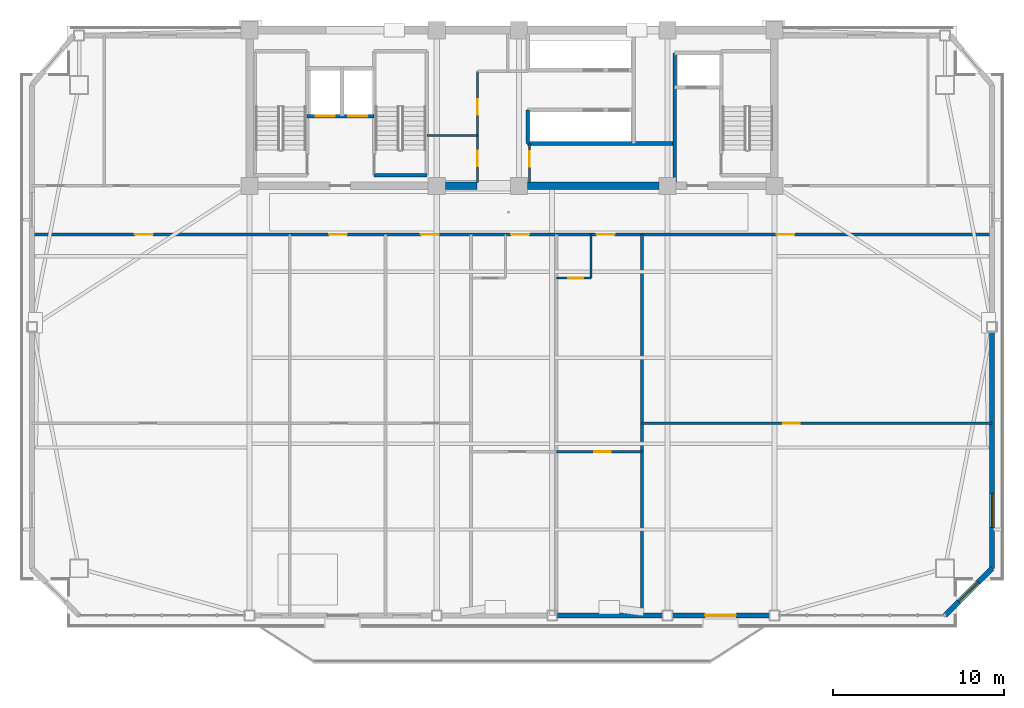
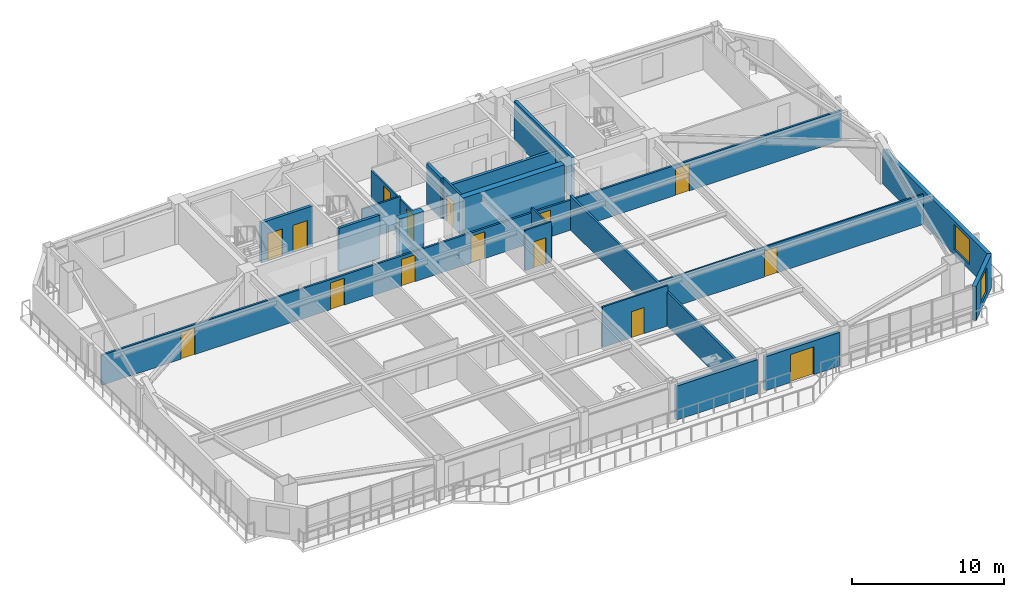
# One storey, part 9 of 17: 20 walls, 15 doors, 2 windows, 17 openings.
"""IFC4 building model written with IfcOpenShell, lengths in metres."""

from ifc_helpers import new_model, si_unit, direction, frame, frame_2d, origin, place, context, subcontext, project, spatial, rectangle, extrude, source, transform, mapped, material, layer, layer_set, type_object, element, fill, save


model = new_model("IFC4")

# Units and contexts
model_context = context("Model", 3, precision=1e-05, world=origin(), true_north=direction((0.0, 1.0)))
body_context = subcontext(model_context, "Body", "Model", "MODEL_VIEW")
ifc_project = project(units=[si_unit("LENGTHUNIT", "METRE"), si_unit("AREAUNIT", "SQUARE_METRE"), si_unit("VOLUMEUNIT", "CUBIC_METRE"), si_unit("PLANEANGLEUNIT", "RADIAN"), si_unit("MASSUNIT", "GRAM", prefix="KILO")], contexts=[model_context])

# Site, building, storey
site_placement = place(None, origin())
site = spatial("IfcSite", under=ifc_project, at=site_placement, CompositionType="ELEMENT")
building_placement = place(site_placement, origin())
building = spatial("IfcBuilding", under=site, at=building_placement, Name="Giltprow Tower", CompositionType="ELEMENT")
storey_placement = place(building_placement, frame((0.0, 0.0, 216.699951171875)))
storey = spatial("IfcBuildingStorey", under=building, at=storey_placement, Name="L55", CompositionType="ELEMENT", Elevation=216.699951171875)

# Wall, opening, window
ifc_material_1 = material(Name="Precast concrete C40", Category="concrete")
ifc_layer_1 = layer(ifc_material_1, 0.300048828125, Name="Precast concrete C40")
ifc_layer_set_1 = layer_set([ifc_layer_1], Name="Precast concrete C40")
wall_type_1 = type_object("IfcWallType", Name="EW-NOTCH-CHAMFER-300", PredefinedType="SOLIDWALL", material=ifc_layer_set_1)
wall_1_placement = place(storey_placement, frame((60.528076171875, 12.318115234375, 0.0), z_axis=(0.0, 0.0, 1.0), x_axis=(0.707106781187, 0.707106781187, 0.0)))
wall_1 = element("IfcWall", 1, at=wall_1_placement, inside=storey, type_object=wall_type_1, Name="L55 Corner Notch Wall SE", PredefinedType="SOLIDWALL", context=body_context, shape_type="SweptSolid", body=[
    extrude(rectangle(XDim=3.89453125, YDim=0.300048828125, at=frame_2d((1.947265625, 0.0))), origin(), (0.0, 0.0, 1.0), 2.719970703125),
])
opening_1_placement = place(wall_1_placement, frame((1.14697265625, 0.0, 0.449951171875)))
opening_1 = element("IfcOpeningElement", 2, at=opening_1_placement, cuts=wall_1, Name="Opening WN17", PredefinedType="OPENING", context=body_context, shape_type="SweptSolid", body=[
    extrude(rectangle(XDim=1.60009765625, YDim=2.0, at=frame_2d((0.800048828125, 1.0))), frame((0.0, 0.159912109375, 0.0), z_axis=(0.0, -1.0, 0.0), x_axis=(1.0, 0.0, 0.0)), (0.0, 0.0, 1.0), 0.320068359375),
])
ifc_material_2 = material(Name="Insulated glass", Category="glass")
window_type_1 = type_object("IfcWindowType", Name="WN-COR-1600x2000", PartitioningType="SINGLE_PANEL", PredefinedType="WINDOW", material=ifc_material_2)
shared_shape_1 = source(origin(), body_context, "Body", "SweptSolid", [
    extrude(rectangle(XDim=1.60009765625, YDim=2.0, at=frame_2d((0.800048828125, 1.0))), frame((0.0, 0.030029296875, 0.0), z_axis=(0.0, -1.0, 0.0), x_axis=(1.0, 0.0, 0.0)), (0.0, 0.0, 1.0), 0.06005859375),
])
window_1_placement = place(opening_1_placement, origin())
window_1 = element("IfcWindow", 3, at=window_1_placement, inside=storey, type_object=window_type_1, Name="L55 Corner Notch Window SE", OverallHeight=2.0, OverallWidth=1.60009765625, PartitioningType="SINGLE_PANEL", PredefinedType="WINDOW", context=body_context, shape_type="MappedRepresentation", body=[
    mapped(shared_shape_1, transform((0.0, 0.0, 0.0), x_axis=(1.0, 0.0, 0.0), y_axis=(0.0, 1.0, 0.0), z_axis=(0.0, 0.0, 1.0), scale=1.0)),
])
fill(opening_1, window_1)

# Wall
ifc_layer_2 = layer(ifc_material_1, 0.280029296875, Name="Precast concrete C40")
ifc_layer_set_2 = layer_set([ifc_layer_2], Name="Precast concrete C40")
wall_type_2 = type_object("IfcWallType", Name="EW-TOW-BRONZE-280", PredefinedType="SOLIDWALL", material=ifc_layer_set_2)
wall_2_placement = place(storey_placement, frame((37.85009765625, 12.318115234375, 0.0), z_axis=(0.0, 0.0, 1.0), x_axis=(1.0, 0.0, 0.0)))
element("IfcWall", 4, at=wall_2_placement, inside=storey, type_object=wall_type_2, Name="L55 South Expressed Frame Wall 4", PredefinedType="SOLIDWALL", context=body_context, shape_type="SweptSolid", body=[
    extrude(rectangle(XDim=6.14990234375, YDim=0.280029296875, at=frame_2d((3.074951171875, 0.0))), origin(), (0.0, 0.0, 1.0), 2.719970703125),
])

# Wall, opening, door
wall_3_placement = place(storey_placement, frame((44.60009765625, 12.318115234375, 0.0), z_axis=(0.0, 0.0, 1.0), x_axis=(1.0, 0.0, 0.0)))
wall_3 = element("IfcWall", 5, at=wall_3_placement, inside=storey, type_object=wall_type_2, Name="L55 South Expressed Frame Wall 5", PredefinedType="SOLIDWALL", context=body_context, shape_type="SweptSolid", body=[
    extrude(rectangle(XDim=5.64990234375, YDim=0.280029296875, at=frame_2d((2.824951171875, 0.0))), origin(), (0.0, 0.0, 1.0), 2.719970703125),
])
opening_2_placement = place(wall_3_placement, frame((1.89990234375, 0.0, 0.0)))
opening_2 = element("IfcOpeningElement", 6, at=opening_2_placement, cuts=wall_3, Name="Opening ED25", PredefinedType="OPENING", context=body_context, shape_type="SweptSolid", body=[
    extrude(rectangle(XDim=1.800048828125, YDim=2.25, at=frame_2d((0.89990234375, 1.125))), frame((0.0, 0.14990234375, 0.0), z_axis=(0.0, -1.0, 0.0), x_axis=(1.0, 0.0, 0.0)), (0.0, 0.0, 1.0), 0.300048828125),
])
ifc_material_3 = material(Name="Anodized bronze and glass", Category="glass")
door_type_1 = type_object("IfcDoorType", Name="DR-BALC-SLIDE-1800", OperationType="SLIDING_TO_LEFT", PredefinedType="DOOR", material=ifc_material_3)
shared_shape_2 = source(origin(), body_context, "Body", "SweptSolid", [
    extrude(rectangle(XDim=1.800048828125, YDim=2.25, at=frame_2d((0.89990234375, 1.125))), frame((0.0, 0.02490234375, 0.0), z_axis=(0.0, -1.0, 0.0), x_axis=(1.0, 0.0, 0.0)), (0.0, 0.0, 1.0), 0.050048828125),
])
door_1_placement = place(opening_2_placement, origin())
door_1 = element("IfcDoor", 7, at=door_1_placement, inside=storey, type_object=door_type_1, Name="L55 Waterfront Balcony Sliding Door 2", OperationType="SLIDING_TO_LEFT", OverallHeight=2.25, OverallWidth=1.800048828125, PredefinedType="DOOR", context=body_context, shape_type="MappedRepresentation", body=[
    mapped(shared_shape_2, transform((0.0, 0.0, 0.0), x_axis=(1.0, 0.0, 0.0), y_axis=(0.0, 1.0, 0.0), z_axis=(0.0, 0.0, 1.0), scale=1.0)),
])
fill(opening_2, door_1)

# Wall, opening, window
wall_4_placement = place(storey_placement, frame((63.281982421875, 15.072021484375, 0.0), z_axis=(0.0, 0.0, 1.0), x_axis=(0.0, 1.0, 0.0)))
wall_4 = element("IfcWall", 8, at=wall_4_placement, inside=storey, type_object=wall_type_2, Name="L55 E Wing Masonry Wall 1", PredefinedType="SOLIDWALL", context=body_context, shape_type="SweptSolid", body=[
    extrude(rectangle(XDim=13.8369140625, YDim=0.280029296875, at=frame_2d((6.91845703125, 0.0))), origin(), (0.0, 0.0, 1.0), 2.719970703125),
])
opening_3_placement = place(wall_4_placement, frame((2.39208984375, 0.0, 0.449951171875)))
opening_3 = element("IfcOpeningElement", 9, at=opening_3_placement, cuts=wall_4, Name="Opening WN21", PredefinedType="OPENING", context=body_context, shape_type="SweptSolid", body=[
    extrude(rectangle(XDim=2.0, YDim=2.0, at=frame_2d((1.0, 1.0))), frame((0.0, 0.14990234375, 0.0), z_axis=(0.0, -1.0, 0.0), x_axis=(1.0, 0.0, 0.0)), (0.0, 0.0, 1.0), 0.300048828125),
])
window_type_2 = type_object("IfcWindowType", Name="WN-HTL-2000x2000", PartitioningType="DOUBLE_PANEL_VERTICAL", PredefinedType="WINDOW", material=ifc_material_2)
shared_shape_3 = source(origin(), body_context, "Body", "SweptSolid", [
    extrude(rectangle(XDim=2.0, YDim=2.0, at=frame_2d((1.0, 1.0))), frame((0.0, 0.030029296875, 0.0), z_axis=(0.0, -1.0, 0.0), x_axis=(1.0, 0.0, 0.0)), (0.0, 0.0, 1.0), 0.06005859375),
])
window_2_placement = place(opening_3_placement, origin())
window_2 = element("IfcWindow", 10, at=window_2_placement, inside=storey, type_object=window_type_2, Name="L55 E Wing Window 1-1", OverallHeight=2.0, OverallWidth=2.0, PartitioningType="SINGLE_PANEL", PredefinedType="WINDOW", context=body_context, shape_type="MappedRepresentation", body=[
    mapped(shared_shape_3, transform((0.0, 0.0, 0.0), x_axis=(1.0, 0.0, 0.0), y_axis=(0.0, 1.0, 0.0), z_axis=(0.0, 0.0, 1.0), scale=1.0)),
])
fill(opening_3, window_2)

# Wall, openings, doors
ifc_material_4 = material(Name="Gypsum stud partition", Category="gypsum")
ifc_layer_3 = layer(ifc_material_4, 0.14990234375, Name="Gypsum stud partition")
ifc_layer_set_3 = layer_set([ifc_layer_3], Name="Gypsum stud partition")
wall_type_3 = type_object("IfcWallType", Name="IW-CORR-150", PredefinedType="PARTITIONING", material=ifc_layer_set_3)
wall_5_placement = place(storey_placement, frame((7.117919921875, 34.60009765625, 0.0), z_axis=(0.0, 0.0, 1.0), x_axis=(1.0, 0.0, 0.0)))
wall_5 = element("IfcWall", 11, at=wall_5_placement, inside=storey, type_object=wall_type_3, Name="L55 Hotel Guestroom Corridor Wall", PredefinedType="PARTITIONING", context=body_context, shape_type="SweptSolid", body=[
    extrude(rectangle(XDim=56.1640625, YDim=0.14990234375, at=frame_2d((28.08203125, 0.0))), origin(), (0.0, 0.0, 1.0), 2.425048828125),
])
opening_4_placement = place(wall_5_placement, frame((6.02392578125, 0.0, 0.0)))
opening_4 = element("IfcOpeningElement", 12, at=opening_4_placement, cuts=wall_5, Name="Opening ID31", PredefinedType="OPENING", context=body_context, shape_type="SweptSolid", body=[
    extrude(rectangle(XDim=1.050048828125, YDim=2.14990234375, at=frame_2d((0.52490234375, 1.074951171875))), frame((0.0, 0.0849609375, 0.0), z_axis=(0.0, -1.0, 0.0), x_axis=(1.0, 0.0, 0.0)), (0.0, 0.0, 1.0), 0.169921875),
])
opening_5_placement = place(wall_5_placement, frame((17.37890625, 0.0, 0.0)))
opening_5 = element("IfcOpeningElement", 13, at=opening_5_placement, cuts=wall_5, Name="Opening ID31", PredefinedType="OPENING", context=body_context, shape_type="SweptSolid", body=[
    extrude(rectangle(XDim=1.050048828125, YDim=2.14990234375, at=frame_2d((0.52490234375, 1.074951171875))), frame((0.0, 0.0849609375, 0.0), z_axis=(0.0, -1.0, 0.0), x_axis=(1.0, 0.0, 0.0)), (0.0, 0.0, 1.0), 0.169921875),
])
opening_6_placement = place(wall_5_placement, frame((22.7509765625, 0.0, 0.0)))
opening_6 = element("IfcOpeningElement", 14, at=opening_6_placement, cuts=wall_5, Name="Opening ID31", PredefinedType="OPENING", context=body_context, shape_type="SweptSolid", body=[
    extrude(rectangle(XDim=1.050048828125, YDim=2.14990234375, at=frame_2d((0.52490234375, 1.074951171875))), frame((0.0, 0.0849609375, 0.0), z_axis=(0.0, -1.0, 0.0), x_axis=(1.0, 0.0, 0.0)), (0.0, 0.0, 1.0), 0.169921875),
])
opening_7_placement = place(wall_5_placement, frame((28.0380859375, 0.0, 0.0)))
opening_7 = element("IfcOpeningElement", 15, at=opening_7_placement, cuts=wall_5, Name="Opening ID31", PredefinedType="OPENING", context=body_context, shape_type="SweptSolid", body=[
    extrude(rectangle(XDim=1.050048828125, YDim=2.14990234375, at=frame_2d((0.52490234375, 1.074951171875))), frame((0.0, 0.0849609375, 0.0), z_axis=(0.0, -1.0, 0.0), x_axis=(1.0, 0.0, 0.0)), (0.0, 0.0, 1.0), 0.169921875),
])
opening_8_placement = place(wall_5_placement, frame((33.0380859375, 0.0, 0.0)))
opening_8 = element("IfcOpeningElement", 16, at=opening_8_placement, cuts=wall_5, Name="Opening ID31", PredefinedType="OPENING", context=body_context, shape_type="SweptSolid", body=[
    extrude(rectangle(XDim=1.050048828125, YDim=2.14990234375, at=frame_2d((0.52490234375, 1.074951171875))), frame((0.0, 0.0849609375, 0.0), z_axis=(0.0, -1.0, 0.0), x_axis=(1.0, 0.0, 0.0)), (0.0, 0.0, 1.0), 0.169921875),
])
opening_9_placement = place(wall_5_placement, frame((43.55810546875, 0.0, 0.0)))
opening_9 = element("IfcOpeningElement", 17, at=opening_9_placement, cuts=wall_5, Name="Opening ID31", PredefinedType="OPENING", context=body_context, shape_type="SweptSolid", body=[
    extrude(rectangle(XDim=1.050048828125, YDim=2.14990234375, at=frame_2d((0.52490234375, 1.074951171875))), frame((0.0, 0.0849609375, 0.0), z_axis=(0.0, -1.0, 0.0), x_axis=(1.0, 0.0, 0.0)), (0.0, 0.0, 1.0), 0.169921875),
])
ifc_material_5 = material(Name="Engineered timber", Category="wood")
door_type_2 = type_object("IfcDoorType", Name="DR-SUITE-1050", OperationType="SINGLE_SWING_LEFT", PredefinedType="DOOR", material=ifc_material_5)
shared_shape_4 = source(origin(), body_context, "Body", "SweptSolid", [
    extrude(rectangle(XDim=1.050048828125, YDim=2.14990234375, at=frame_2d((0.52490234375, 1.074951171875))), frame((0.0, 0.02490234375, 0.0), z_axis=(0.0, -1.0, 0.0), x_axis=(1.0, 0.0, 0.0)), (0.0, 0.0, 1.0), 0.050048828125),
])
door_2_placement = place(opening_4_placement, origin())
door_2 = element("IfcDoor", 18, at=door_2_placement, inside=storey, type_object=door_type_2, Name="L55 Suite Reception Foyer Door", OperationType="SINGLE_SWING_RIGHT", OverallHeight=2.14990234375, OverallWidth=1.050048828125, PredefinedType="DOOR", context=body_context, shape_type="MappedRepresentation", body=[
    mapped(shared_shape_4, transform((0.0, 0.0, 0.0), x_axis=(1.0, 0.0, 0.0), y_axis=(0.0, 1.0, 0.0), z_axis=(0.0, 0.0, 1.0), scale=1.0)),
])
fill(opening_4, door_2)
door_3_placement = place(opening_5_placement, origin())
door_3 = element("IfcDoor", 19, at=door_3_placement, inside=storey, type_object=door_type_2, Name="L55 Suite Reception Foyer Door", OperationType="SINGLE_SWING_RIGHT", OverallHeight=2.14990234375, OverallWidth=1.050048828125, PredefinedType="DOOR", context=body_context, shape_type="MappedRepresentation", body=[
    mapped(shared_shape_4, transform((0.0, 0.0, 0.0), x_axis=(1.0, 0.0, 0.0), y_axis=(0.0, 1.0, 0.0), z_axis=(0.0, 0.0, 1.0), scale=1.0)),
])
fill(opening_5, door_3)
door_4_placement = place(opening_6_placement, origin())
door_4 = element("IfcDoor", 20, at=door_4_placement, inside=storey, type_object=door_type_2, Name="L55 Suite Reception Foyer Door", OperationType="SINGLE_SWING_RIGHT", OverallHeight=2.14990234375, OverallWidth=1.050048828125, PredefinedType="DOOR", context=body_context, shape_type="MappedRepresentation", body=[
    mapped(shared_shape_4, transform((0.0, 0.0, 0.0), x_axis=(1.0, 0.0, 0.0), y_axis=(0.0, 1.0, 0.0), z_axis=(0.0, 0.0, 1.0), scale=1.0)),
])
fill(opening_6, door_4)
door_5_placement = place(opening_7_placement, origin())
door_5 = element("IfcDoor", 21, at=door_5_placement, inside=storey, type_object=door_type_2, Name="L55 Hotel Room 4 Entry Door", OperationType="SINGLE_SWING_RIGHT", OverallHeight=2.14990234375, OverallWidth=1.050048828125, PredefinedType="DOOR", context=body_context, shape_type="MappedRepresentation", body=[
    mapped(shared_shape_4, transform((0.0, 0.0, 0.0), x_axis=(1.0, 0.0, 0.0), y_axis=(0.0, 1.0, 0.0), z_axis=(0.0, 0.0, 1.0), scale=1.0)),
])
fill(opening_7, door_5)
door_6_placement = place(opening_8_placement, origin())
door_6 = element("IfcDoor", 22, at=door_6_placement, inside=storey, type_object=door_type_2, Name="L55 Hotel Room 5 Entry Door", OperationType="SINGLE_SWING_LEFT", OverallHeight=2.14990234375, OverallWidth=1.050048828125, PredefinedType="DOOR", context=body_context, shape_type="MappedRepresentation", body=[
    mapped(shared_shape_4, transform((0.0, 0.0, 0.0), x_axis=(1.0, 0.0, 0.0), y_axis=(0.0, 1.0, 0.0), z_axis=(0.0, 0.0, 1.0), scale=1.0)),
])
fill(opening_8, door_6)
door_7_placement = place(opening_9_placement, origin())
door_7 = element("IfcDoor", 23, at=door_7_placement, inside=storey, type_object=door_type_2, Name="L55 Suite Reception Foyer Door", OperationType="SINGLE_SWING_RIGHT", OverallHeight=2.14990234375, OverallWidth=1.050048828125, PredefinedType="DOOR", context=body_context, shape_type="MappedRepresentation", body=[
    mapped(shared_shape_4, transform((0.0, 0.0, 0.0), x_axis=(1.0, 0.0, 0.0), y_axis=(0.0, 1.0, 0.0), z_axis=(0.0, 0.0, 1.0), scale=1.0)),
])
fill(opening_9, door_7)

# Wall
ifc_layer_4 = layer(ifc_material_4, 0.159912109375, Name="Gypsum stud partition")
ifc_layer_set_4 = layer_set([ifc_layer_4], Name="Gypsum stud partition")
wall_type_4 = type_object("IfcWallType", Name="IW-DEMISE-160", PredefinedType="PARTITIONING", material=ifc_layer_set_4)
wall_6_placement = place(storey_placement, frame((42.800048828125, 12.318115234375, 0.0), z_axis=(0.0, 0.0, 1.0), x_axis=(0.0, 1.0, 0.0)))
element("IfcWall", 24, at=wall_6_placement, inside=storey, type_object=wall_type_4, Name="L55 Hotel Demising Wall 5", PredefinedType="PARTITIONING", context=body_context, shape_type="SweptSolid", body=[
    extrude(rectangle(XDim=22.281982421875, YDim=0.159912109375, at=frame_2d((11.14111328125, 0.0))), origin(), (0.0, 0.0, 1.0), 2.72509765625),
])

# Wall, opening, door
ifc_layer_5 = layer(ifc_material_4, 0.1201171875, Name="Gypsum stud partition")
ifc_layer_set_5 = layer_set([ifc_layer_5], Name="Gypsum stud partition")
wall_type_5 = type_object("IfcWallType", Name="IW-ROOM-120", PredefinedType="PARTITIONING", material=ifc_layer_set_5)
wall_7_placement = place(storey_placement, frame((37.800048828125, 21.89306640625, 0.0), z_axis=(0.0, 0.0, 1.0), x_axis=(1.0, 0.0, 0.0)))
wall_7 = element("IfcWall", 25, at=wall_7_placement, inside=storey, type_object=wall_type_5, Name="L55 Suite Parlour Divider 5", PredefinedType="PARTITIONING", context=body_context, shape_type="SweptSolid", body=[
    extrude(rectangle(XDim=5.0, YDim=0.1201171875, at=frame_2d((2.5, 0.0))), origin(), (0.0, 0.0, 1.0), 3.239990234375),
])
opening_10_placement = place(wall_7_placement, frame((2.22509765625, 0.0, 0.0)))
opening_10 = element("IfcOpeningElement", 26, at=opening_10_placement, cuts=wall_7, Name="Opening ID11", PredefinedType="OPENING", context=body_context, shape_type="SweptSolid", body=[
    extrude(rectangle(XDim=0.949951171875, YDim=2.10009765625, at=frame_2d((0.47509765625, 1.050048828125))), frame((0.0, 0.070068359375, 0.0), z_axis=(0.0, -1.0, 0.0), x_axis=(1.0, 0.0, 0.0)), (0.0, 0.0, 1.0), 0.14013671875),
])
door_type_3 = type_object("IfcDoorType", Name="DR-ROOM-950", OperationType="SINGLE_SWING_RIGHT", PredefinedType="DOOR", material=ifc_material_5)
shared_shape_5 = source(origin(), body_context, "Body", "SweptSolid", [
    extrude(rectangle(XDim=0.949951171875, YDim=2.10009765625, at=frame_2d((0.47509765625, 1.050048828125))), frame((0.0, 0.02490234375, 0.0), z_axis=(0.0, -1.0, 0.0), x_axis=(1.0, 0.0, 0.0)), (0.0, 0.0, 1.0), 0.050048828125),
])
door_8_placement = place(opening_10_placement, origin())
door_8 = element("IfcDoor", 27, at=door_8_placement, inside=storey, type_object=door_type_3, Name="L55 Harbour Parlour 5 Door", OperationType="SINGLE_SWING_LEFT", OverallHeight=2.10009765625, OverallWidth=0.949951171875, PredefinedType="DOOR", context=body_context, shape_type="MappedRepresentation", body=[
    mapped(shared_shape_5, transform((0.0, 0.0, 0.0), x_axis=(1.0, 0.0, 0.0), y_axis=(0.0, 1.0, 0.0), z_axis=(0.0, 0.0, 1.0), scale=1.0)),
])
fill(opening_10, door_8)

wall_8_placement = place(storey_placement, frame((42.800048828125, 23.55908203125, 0.0), z_axis=(0.0, 0.0, 1.0), x_axis=(1.0, 0.0, 0.0)))
wall_8 = element("IfcWall", 28, at=wall_8_placement, inside=storey, type_object=wall_type_5, Name="L55 Amenity Mid Wall 6", PredefinedType="PARTITIONING", context=body_context, shape_type="SweptSolid", body=[
    extrude(rectangle(XDim=20.48193359375, YDim=0.1201171875, at=frame_2d((10.240966796875, 0.0))), origin(), (0.0, 0.0, 1.0), 2.425048828125),
])
opening_11_placement = place(wall_8_placement, frame((8.279052734375, 0.0, 0.0)))
opening_11 = element("IfcOpeningElement", 29, at=opening_11_placement, cuts=wall_8, Name="Opening ID11", PredefinedType="OPENING", context=body_context, shape_type="SweptSolid", body=[
    extrude(rectangle(XDim=0.949951171875, YDim=2.10009765625, at=frame_2d((0.47509765625, 1.050048828125))), frame((0.0, 0.070068359375, 0.0), z_axis=(0.0, -1.0, 0.0), x_axis=(1.0, 0.0, 0.0)), (0.0, 0.0, 1.0), 0.14013671875),
])
door_9_placement = place(opening_11_placement, origin())
door_9 = element("IfcDoor", 30, at=door_9_placement, inside=storey, type_object=door_type_3, Name="L55 Presidential Reception 3 Inner Door", OperationType="SINGLE_SWING_LEFT", OverallHeight=2.10009765625, OverallWidth=0.949951171875, PredefinedType="DOOR", context=body_context, shape_type="MappedRepresentation", body=[
    mapped(shared_shape_5, transform((0.0, 0.0, 0.0), x_axis=(1.0, 0.0, 0.0), y_axis=(0.0, 1.0, 0.0), z_axis=(0.0, 0.0, 1.0), scale=1.0)),
])
fill(opening_11, door_9)

# Wall, openings, doors
ifc_material_6 = material(Name="Concrete C40", Category="concrete")
ifc_layer_6 = layer(ifc_material_6, 0.219970703125, Name="Concrete C40")
ifc_layer_set_6 = layer_set([ifc_layer_6], Name="Concrete C40")
wall_type_6 = type_object("IfcWallType", Name="IW-SHAFT-220", PredefinedType="SOLIDWALL", material=ifc_layer_set_6)
wall_9_placement = place(storey_placement, frame((23.219970703125, 41.52001953125, 0.0), z_axis=(0.0, 0.0, 1.0), x_axis=(1.0, 0.0, 0.0)))
wall_9 = element("IfcWall", 31, at=wall_9_placement, inside=storey, type_object=wall_type_6, Name="L55 FFL1 and Service Lift Front Wall", PredefinedType="SOLIDWALL", context=body_context, shape_type="SweptSolid", body=[
    extrude(rectangle(XDim=3.919921875, YDim=0.219970703125, at=frame_2d((1.9599609375, 0.0))), origin(), (0.0, 0.0, 1.0), 3.239990234375),
])
opening_12_placement = place(wall_9_placement, frame((0.5, 0.0, 0.0)))
opening_12 = element("IfcOpeningElement", 32, at=opening_12_placement, cuts=wall_9, Name="Opening LD-11", PredefinedType="OPENING", context=body_context, shape_type="SweptSolid", body=[
    extrude(rectangle(XDim=1.10009765625, YDim=2.199951171875, at=frame_2d((0.550048828125, 1.10009765625))), frame((0.0, 0.119873046875, 0.0), z_axis=(0.0, -1.0, 0.0), x_axis=(1.0, 0.0, 0.0)), (0.0, 0.0, 1.0), 0.239990234375),
])
opening_13_placement = place(wall_9_placement, frame((2.39990234375, 0.0, 0.0)))
opening_13 = element("IfcOpeningElement", 33, at=opening_13_placement, cuts=wall_9, Name="Opening LD-11", PredefinedType="OPENING", context=body_context, shape_type="SweptSolid", body=[
    extrude(rectangle(XDim=1.10009765625, YDim=2.199951171875, at=frame_2d((0.550048828125, 1.10009765625))), frame((0.0, 0.119873046875, 0.0), z_axis=(0.0, -1.0, 0.0), x_axis=(1.0, 0.0, 0.0)), (0.0, 0.0, 1.0), 0.239990234375),
])
ifc_material_7 = material(Name="Stainless steel", Category="steel")
door_type_4 = type_object("IfcDoorType", Name="DR-LIFT-LD1100", OperationType="SLIDING_TO_LEFT", PredefinedType="DOOR", material=ifc_material_7)
shared_shape_6 = source(origin(), body_context, "Body", "SweptSolid", [
    extrude(rectangle(XDim=1.10009765625, YDim=2.199951171875, at=frame_2d((0.550048828125, 1.10009765625))), frame((0.0, 0.02490234375, 0.0), z_axis=(0.0, -1.0, 0.0), x_axis=(1.0, 0.0, 0.0)), (0.0, 0.0, 1.0), 0.050048828125),
])
door_10_placement = place(opening_12_placement, origin())
door_10 = element("IfcDoor", 34, at=door_10_placement, inside=storey, type_object=door_type_4, Name="L55 FFL1 Landing Door", OperationType="SLIDING_TO_LEFT", OverallHeight=2.199951171875, OverallWidth=1.10009765625, PredefinedType="DOOR", context=body_context, shape_type="MappedRepresentation", body=[
    mapped(shared_shape_6, transform((0.0, 0.0, 0.0), x_axis=(1.0, 0.0, 0.0), y_axis=(0.0, 1.0, 0.0), z_axis=(0.0, 0.0, 1.0), scale=1.0)),
])
fill(opening_12, door_10)
door_11_placement = place(opening_13_placement, origin())
door_11 = element("IfcDoor", 35, at=door_11_placement, inside=storey, type_object=door_type_4, Name="L55 SVL1 Landing Door", OperationType="SLIDING_TO_LEFT", OverallHeight=2.199951171875, OverallWidth=1.10009765625, PredefinedType="DOOR", context=body_context, shape_type="MappedRepresentation", body=[
    mapped(shared_shape_6, transform((0.0, 0.0, 0.0), x_axis=(1.0, 0.0, 0.0), y_axis=(0.0, 1.0, 0.0), z_axis=(0.0, 0.0, 1.0), scale=1.0)),
])
fill(opening_13, door_11)

# Walls
wall_10_placement = place(storey_placement, frame((44.719970703125, 37.655029296875, 0.0), z_axis=(0.0, 0.0, 1.0), x_axis=(0.0, 1.0, 0.0)))
element("IfcWall", 36, at=wall_10_placement, inside=storey, type_object=wall_type_6, Name="L55 East Firefighting Lobby West Wall", PredefinedType="SOLIDWALL", context=body_context, shape_type="SweptSolid", body=[
    extrude(rectangle(XDim=7.56494140625, YDim=0.219970703125, at=frame_2d((3.782470703125, 0.0))), origin(), (0.0, 0.0, 1.0), 3.239990234375),
])
wall_11_placement = place(storey_placement, frame((36.1201171875, 39.919921875, 0.0), z_axis=(0.0, 0.0, 1.0), x_axis=(1.0, 0.0, 0.0)))
element("IfcWall", 37, at=wall_11_placement, inside=storey, type_object=wall_type_6, Name="L55 Mid-Rise South Lift Back Wall", PredefinedType="SOLIDWALL", context=body_context, shape_type="SweptSolid", body=[
    extrude(rectangle(XDim=8.599853515625, YDim=0.219970703125, at=frame_2d((4.2998046875, 0.0))), origin(), (0.0, 0.0, 1.0), 2.525146484375),
])
wall_12_placement = place(storey_placement, frame((36.1201171875, 39.919921875, 0.0), z_axis=(0.0, 0.0, 1.0), x_axis=(0.0, 1.0, 0.0)))
element("IfcWall", 38, at=wall_12_placement, inside=storey, type_object=wall_type_6, Name="L55 Mid-Rise South Lift West Closure", PredefinedType="SOLIDWALL", context=body_context, shape_type="SweptSolid", body=[
    extrude(rectangle(XDim=1.9599609375, YDim=0.219970703125, at=frame_2d((0.97998046875, 0.0))), origin(), (0.0, 0.0, 1.0), 3.239990234375),
])
ifc_layer_7 = layer(ifc_material_6, 0.199951171875, Name="Concrete C40")
ifc_layer_set_7 = layer_set([ifc_layer_7], Name="Concrete C40")
wall_type_7 = type_object("IfcWallType", Name="IW-STAIR-200", PredefinedType="SOLIDWALL", material=ifc_layer_set_7)
wall_13_placement = place(storey_placement, frame((27.139892578125, 38.070068359375, 0.0), z_axis=(0.0, 0.0, 1.0), x_axis=(1.0, 0.0, 0.0)))
element("IfcWall", 39, at=wall_13_placement, inside=storey, type_object=wall_type_7, Name="L55 Stair ST-2 South Bearing Wall", PredefinedType="SOLIDWALL", context=body_context, shape_type="SweptSolid", body=[
    extrude(rectangle(XDim=3.080078125, YDim=0.199951171875, at=frame_2d((1.5400390625, 0.0))), origin(), (0.0, 0.0, 1.0), 3.5),
])

# Wall, openings, doors
ifc_material_8 = material(Name="Concrete C30", Category="concrete")
ifc_layer_8 = layer(ifc_material_8, 0.1298828125, Name="Concrete C30")
ifc_layer_set_8 = layer_set([ifc_layer_8], Name="Concrete C30")
wall_type_8 = type_object("IfcWallType", Name="IW-WET-130", PredefinedType="PARTITIONING", material=ifc_layer_set_8)
wall_14_placement = place(storey_placement, frame((33.179931640625, 37.655029296875, 0.0), z_axis=(0.0, 0.0, 1.0), x_axis=(0.0, 1.0, 0.0)))
wall_14 = element("IfcWall", 40, at=wall_14_placement, inside=storey, type_object=wall_type_8, Name="L55 Reclaimed Core Room East Wall", PredefinedType="PARTITIONING", context=body_context, shape_type="SweptSolid", body=[
    extrude(rectangle(XDim=6.494873046875, YDim=0.1298828125, at=frame_2d((3.24755859375, 0.0))), origin(), (0.0, 0.0, 1.0), 2.324951171875),
])
opening_14_placement = place(wall_14_placement, frame((0.945068359375, 0.0, 0.0)))
opening_14 = element("IfcOpeningElement", 41, at=opening_14_placement, cuts=wall_14, Name="Opening ID35", PredefinedType="OPENING", context=body_context, shape_type="SweptSolid", body=[
    extrude(rectangle(XDim=0.89990234375, YDim=2.10009765625, at=frame_2d((0.449951171875, 1.050048828125))), frame((0.0, 0.074951171875, 0.0), z_axis=(0.0, -1.0, 0.0), x_axis=(1.0, 0.0, 0.0)), (0.0, 0.0, 1.0), 0.14990234375),
])
opening_15_placement = place(wall_14_placement, frame((3.945068359375, 0.0, 0.0)))
opening_15 = element("IfcOpeningElement", 42, at=opening_15_placement, cuts=wall_14, Name="Opening ID35", PredefinedType="OPENING", context=body_context, shape_type="SweptSolid", body=[
    extrude(rectangle(XDim=0.89990234375, YDim=2.10009765625, at=frame_2d((0.449951171875, 1.050048828125))), frame((0.0, 0.074951171875, 0.0), z_axis=(0.0, -1.0, 0.0), x_axis=(1.0, 0.0, 0.0)), (0.0, 0.0, 1.0), 0.14990234375),
])
ifc_material_9 = material(Name="Steel fire leaf", Category="steel")
door_type_5 = type_object("IfcDoorType", Name="DR-SHAFT-900", OperationType="SINGLE_SWING_LEFT", PredefinedType="DOOR", material=ifc_material_9)
shared_shape_7 = source(origin(), body_context, "Body", "SweptSolid", [
    extrude(rectangle(XDim=0.89990234375, YDim=2.10009765625, at=frame_2d((0.449951171875, 1.050048828125))), frame((0.0, 0.02490234375, 0.0), z_axis=(0.0, -1.0, 0.0), x_axis=(1.0, 0.0, 0.0)), (0.0, 0.0, 1.0), 0.050048828125),
])
door_12_placement = place(opening_14_placement, origin())
door_12 = element("IfcDoor", 43, at=door_12_placement, inside=storey, type_object=door_type_5, Name="L55 Core Accessible WC Door", OperationType="SINGLE_SWING_LEFT", OverallHeight=2.10009765625, OverallWidth=0.89990234375, PredefinedType="DOOR", context=body_context, shape_type="MappedRepresentation", body=[
    mapped(shared_shape_7, transform((0.0, 0.0, 0.0), x_axis=(1.0, 0.0, 0.0), y_axis=(0.0, 1.0, 0.0), z_axis=(0.0, 0.0, 1.0), scale=1.0)),
])
fill(opening_14, door_12)
door_13_placement = place(opening_15_placement, origin())
door_13 = element("IfcDoor", 44, at=door_13_placement, inside=storey, type_object=door_type_5, Name="L55 Housekeeping Room Door", OperationType="SINGLE_SWING_RIGHT", OverallHeight=2.10009765625, OverallWidth=0.89990234375, PredefinedType="DOOR", context=body_context, shape_type="MappedRepresentation", body=[
    mapped(shared_shape_7, transform((0.0, 0.0, 0.0), x_axis=(1.0, 0.0, 0.0), y_axis=(0.0, 1.0, 0.0), z_axis=(0.0, 0.0, 1.0), scale=1.0)),
])
fill(opening_15, door_13)

# Wall
wall_15_placement = place(storey_placement, frame((30.219970703125, 40.39990234375, 0.0), z_axis=(0.0, 0.0, 1.0), x_axis=(1.0, 0.0, 0.0)))
element("IfcWall", 45, at=wall_15_placement, inside=storey, type_object=wall_type_8, Name="L55 Core Housekeeping Split 2", PredefinedType="PARTITIONING", context=body_context, shape_type="SweptSolid", body=[
    extrude(rectangle(XDim=2.9599609375, YDim=0.1298828125, at=frame_2d((1.47998046875, 0.0))), origin(), (0.0, 0.0, 1.0), 2.525146484375),
])

# Wall, opening, door
wall_16_placement = place(storey_placement, frame((36.219970703125, 37.655029296875, 0.0), z_axis=(0.0, 0.0, 1.0), x_axis=(0.0, 1.0, 0.0)))
wall_16 = element("IfcWall", 46, at=wall_16_placement, inside=storey, type_object=wall_type_8, Name="L55 Core Valet West Wall", PredefinedType="PARTITIONING", context=body_context, shape_type="SweptSolid", body=[
    extrude(rectangle(XDim=2.264892578125, YDim=0.1298828125, at=frame_2d((1.13232421875, 0.0))), origin(), (0.0, 0.0, 1.0), 3.239990234375),
])
opening_16_placement = place(wall_16_placement, frame((0.905029296875, 0.0, 0.0)))
opening_16 = element("IfcOpeningElement", 47, at=opening_16_placement, cuts=wall_16, Name="Opening ID35", PredefinedType="OPENING", context=body_context, shape_type="SweptSolid", body=[
    extrude(rectangle(XDim=0.89990234375, YDim=2.10009765625, at=frame_2d((0.449951171875, 1.050048828125))), frame((0.0, 0.074951171875, 0.0), z_axis=(0.0, -1.0, 0.0), x_axis=(1.0, 0.0, 0.0)), (0.0, 0.0, 1.0), 0.14990234375),
])
door_14_placement = place(opening_16_placement, origin())
door_14 = element("IfcDoor", 48, at=door_14_placement, inside=storey, type_object=door_type_5, Name="L55 Core Valet Pantry Door", OperationType="SINGLE_SWING_RIGHT", OverallHeight=2.10009765625, OverallWidth=0.89990234375, PredefinedType="DOOR", context=body_context, shape_type="MappedRepresentation", body=[
    mapped(shared_shape_7, transform((0.0, 0.0, 0.0), x_axis=(1.0, 0.0, 0.0), y_axis=(0.0, 1.0, 0.0), z_axis=(0.0, 0.0, 1.0), scale=1.0)),
])
fill(opening_16, door_14)

wall_17_placement = place(storey_placement, frame((37.800048828125, 32.050048828125, 0.0), z_axis=(0.0, 0.0, 1.0), x_axis=(1.0, 0.0, 0.0)))
wall_17 = element("IfcWall", 49, at=wall_17_placement, inside=storey, type_object=wall_type_8, Name="L55 En-Suite South Wall 5", PredefinedType="PARTITIONING", context=body_context, shape_type="SweptSolid", body=[
    extrude(rectangle(XDim=2.015869140625, YDim=0.1298828125, at=frame_2d((1.0078125, 0.0))), origin(), (0.0, 0.0, 1.0), 3.239990234375),
])
opening_17_placement = place(wall_17_placement, frame((0.677978515625, 0.0, 0.0)))
opening_17 = element("IfcOpeningElement", 50, at=opening_17_placement, cuts=wall_17, Name="Opening ID15", PredefinedType="OPENING", context=body_context, shape_type="SweptSolid", body=[
    extrude(rectangle(XDim=0.89990234375, YDim=2.10009765625, at=frame_2d((0.449951171875, 1.050048828125))), frame((0.0, 0.074951171875, 0.0), z_axis=(0.0, -1.0, 0.0), x_axis=(1.0, 0.0, 0.0)), (0.0, 0.0, 1.0), 0.14990234375),
])
door_type_6 = type_object("IfcDoorType", Name="DR-WC-900", OperationType="SINGLE_SWING_LEFT", PredefinedType="DOOR", material=ifc_material_5)
door_15_placement = place(opening_17_placement, origin())
door_15 = element("IfcDoor", 51, at=door_15_placement, inside=storey, type_object=door_type_6, Name="L55 En-Suite 5 Door", OperationType="SINGLE_SWING_RIGHT", OverallHeight=2.10009765625, OverallWidth=0.89990234375, PredefinedType="DOOR", context=body_context, shape_type="MappedRepresentation", body=[
    mapped(shared_shape_7, transform((0.0, 0.0, 0.0), x_axis=(1.0, 0.0, 0.0), y_axis=(0.0, 1.0, 0.0), z_axis=(0.0, 0.0, 1.0), scale=1.0)),
])
fill(opening_17, door_15)

# Walls
wall_18_placement = place(storey_placement, frame((39.81591796875, 32.050048828125, 0.0), z_axis=(0.0, 0.0, 1.0), x_axis=(0.0, 1.0, 0.0)))
element("IfcWall", 52, at=wall_18_placement, inside=storey, type_object=wall_type_8, Name="L55 En-Suite East Wall 5", PredefinedType="PARTITIONING", context=body_context, shape_type="SweptSolid", body=[
    extrude(rectangle(XDim=2.550048828125, YDim=0.1298828125, at=frame_2d((1.27490234375, 0.0))), origin(), (0.0, 0.0, 1.0), 2.824951171875),
])
ifc_material_10 = material(Name="Concrete C50", Category="concrete")
ifc_layer_9 = layer(ifc_material_10, 0.449951171875, Name="Concrete C50")
ifc_layer_set_9 = layer_set([ifc_layer_9], Name="Concrete C50")
wall_type_9 = type_object("IfcWallType", Name="SW-INT-450-C50", PredefinedType="SHEAR", material=ifc_layer_set_9)
wall_19_placement = place(storey_placement, frame((31.300048828125, 37.449951171875, 0.0), z_axis=(0.0, 0.0, 1.0), x_axis=(1.0, 0.0, 0.0)))
element("IfcWall", 53, at=wall_19_placement, inside=storey, type_object=wall_type_9, Name="L55 South Rear Core Shear Wall Mid-West", PredefinedType="SHEAR", context=body_context, shape_type="SweptSolid", body=[
    extrude(rectangle(XDim=1.849853515625, YDim=0.449951171875, at=frame_2d((0.9248046875, 0.0))), origin(), (0.0, 0.0, 1.0), 3.239990234375),
])
wall_20_placement = place(storey_placement, frame((36.10009765625, 37.449951171875, 0.0), z_axis=(0.0, 0.0, 1.0), x_axis=(1.0, 0.0, 0.0)))
element("IfcWall", 54, at=wall_20_placement, inside=storey, type_object=wall_type_9, Name="L55 South Rear Core Shear Wall Mid-East", PredefinedType="SHEAR", context=body_context, shape_type="SweptSolid", body=[
    extrude(rectangle(XDim=7.699951171875, YDim=0.449951171875, at=frame_2d((3.85009765625, 0.0))), origin(), (0.0, 0.0, 1.0), 3.239990234375),
])

save(model, "model.ifc")
